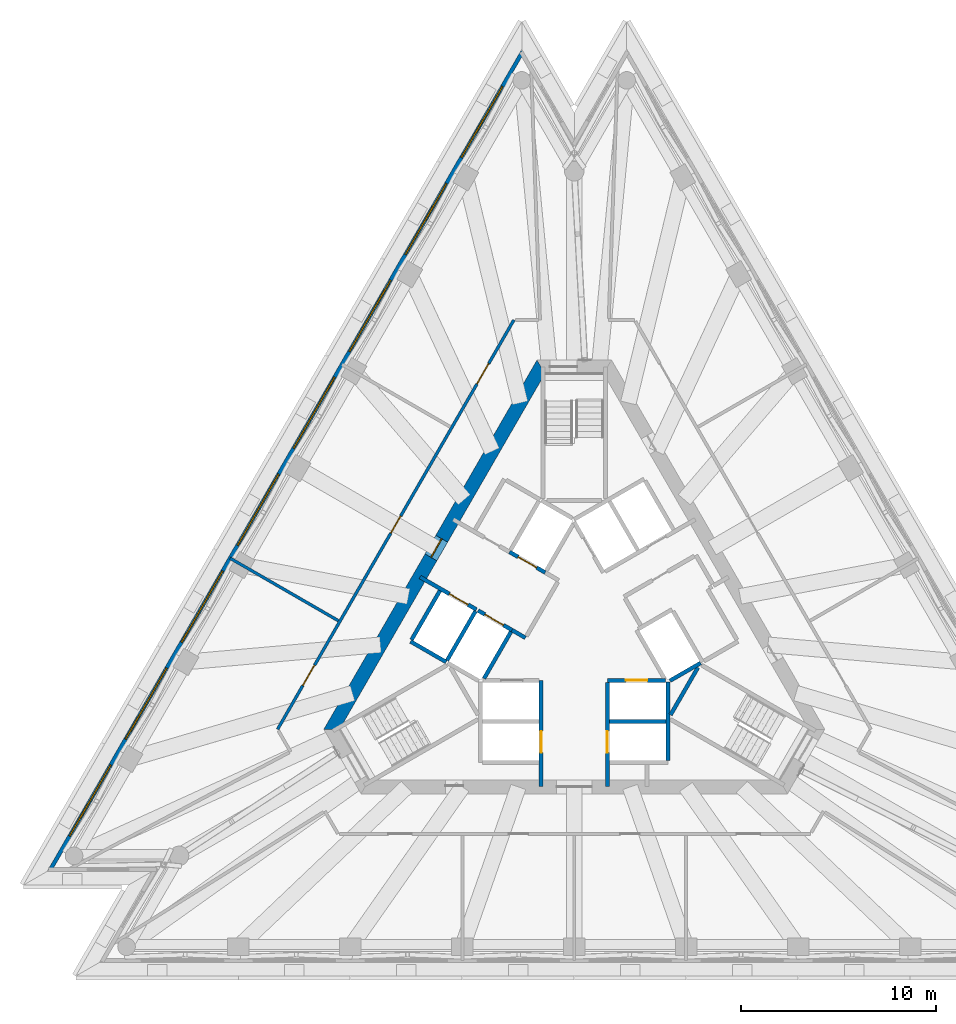
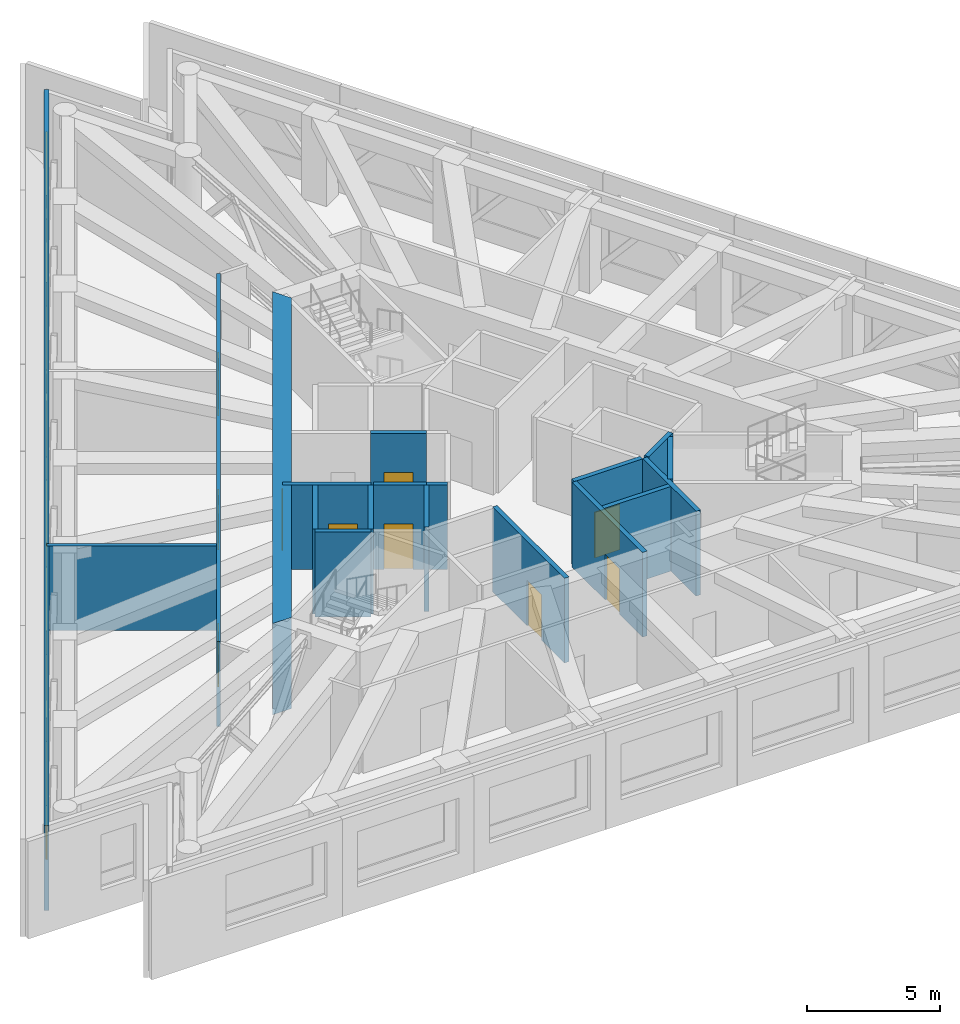
# One storey, part 7 of 12: 19 walls, 10 doors, 8 windows, 18 openings.
"""IFC4 building model written with IfcOpenShell, lengths in metres."""

from ifc_helpers import new_model, si_unit, direction, frame, frame_2d, origin, place, context, subcontext, project, spatial, polyline, rectangle, outline, extrude, material, layer, layer_set, layer_usage, type_object, element, fill, save


model = new_model("IFC4")

# Units and contexts
model_context = context("Model", 3, precision=1e-05, world=origin(), true_north=direction((0.0, 1.0)))
body_context = subcontext(model_context, "Body", "Model", "MODEL_VIEW")
ifc_project = project(units=[si_unit("LENGTHUNIT", "METRE"), si_unit("AREAUNIT", "SQUARE_METRE"), si_unit("VOLUMEUNIT", "CUBIC_METRE"), si_unit("PLANEANGLEUNIT", "RADIAN"), si_unit("MASSUNIT", "GRAM", prefix="KILO")], contexts=[model_context])

# Site, building, storey
site_placement = place(None, origin())
site = spatial("IfcSite", under=ifc_project, at=site_placement, CompositionType="ELEMENT")
building_placement = place(site_placement, origin())
building = spatial("IfcBuilding", under=site, at=building_placement, Name="Triada Interchange Tower", CompositionType="ELEMENT")
storey_placement = place(building_placement, frame((0.0, 0.0, 251.300048828125)))
storey = spatial("IfcBuildingStorey", under=building, at=storey_placement, Name="L59", CompositionType="ELEMENT", Elevation=251.300048828125)

# Walls
ifc_material_1 = material(Name="Concrete C30/37", Category="concrete")
ifc_layer_1 = layer(ifc_material_1, 0.199951171875)
ifc_layer_set_1 = layer_set([ifc_layer_1], Name="CORE WALL 200 EI 120")
wall_type_1 = type_object("IfcWallType", Name="CORE WALL 200 EI 120", PredefinedType="SOLIDWALL", material=ifc_layer_set_1)
wall_1_placement = place(storey_placement, frame((-8.3759765625, -0.70703125, 0.0), z_axis=(0.0, 0.0, 1.0), x_axis=(0.866067520717, -0.499927044236, 0.0)))
element("IfcWall", 1, at=wall_1_placement, inside=storey, type_object=wall_type_1, Name="Wall L59 23", PredefinedType="SOLIDWALL", context=body_context, shape_type="SweptSolid", body=[
    extrude(rectangle(XDim=2.100341796875, YDim=0.199951171875, at=frame_2d((1.05029296875, 0.0))), origin(), (0.0, 0.0, 1.0), 3.89990234375),
])
wall_2_placement = place(storey_placement, frame((-8.325927734375, -0.6201171875, 0.0), z_axis=(0.0, 0.0, 1.0), x_axis=(0.500023687443, 0.866011727401, 0.0)))
element("IfcWall", 2, at=wall_2_placement, inside=storey, type_object=wall_type_1, Name="Wall L59 24", PredefinedType="SOLIDWALL", context=body_context, shape_type="SweptSolid", body=[
    extrude(rectangle(XDim=2.899658203125, YDim=0.199951171875, at=frame_2d((1.44970703125, 0.0))), origin(), (0.0, 0.0, 1.0), 3.89990234375),
])
wall_3_placement = place(storey_placement, frame((1.800048828125, -4.800048828125, 0.0), z_axis=(0.0, 0.0, 1.0), x_axis=(1.0, 0.0, 0.0)))
element("IfcWall", 3, at=wall_3_placement, inside=storey, type_object=wall_type_1, Name="Wall L59 26", PredefinedType="SOLIDWALL", context=body_context, shape_type="SweptSolid", body=[
    extrude(rectangle(XDim=2.89990234375, YDim=0.199951171875, at=frame_2d((1.449951171875, 0.0))), origin(), (0.0, 0.0, 1.0), 3.89990234375),
])

# Wall, opening, door
wall_4_placement = place(storey_placement, frame((-1.699951171875, -8.1298828125, 0.0), z_axis=(0.0, 0.0, 1.0), x_axis=(0.0, 1.0, 0.0)))
wall_4 = element("IfcWall", 4, at=wall_4_placement, inside=storey, type_object=wall_type_1, Name="Wall L59 30", PredefinedType="SOLIDWALL", context=body_context, shape_type="SweptSolid", body=[
    extrude(rectangle(XDim=5.427001953125, YDim=0.199951171875, at=frame_2d((2.71337890625, 0.0))), origin(), (0.0, 0.0, 1.0), 3.89990234375),
])
opening_1_placement = place(wall_4_placement, frame((1.72998046875, 0.0, 0.0)))
opening_1 = element("IfcOpeningElement", 5, at=opening_1_placement, cuts=wall_4, Name="Opening LD-HR4", PredefinedType="OPENING", context=body_context, shape_type="SweptSolid", body=[
    extrude(rectangle(XDim=1.10009765625, YDim=2.10009765625, at=frame_2d((0.550048828125, 1.050048828125))), frame((0.0, 0.10986328125, 0.0), z_axis=(0.0, -1.0, 0.0), x_axis=(1.0, 0.0, 0.0)), (0.0, 0.0, 1.0), 0.219970703125),
])
ifc_material_2 = material(Name="Steel S235 door leaf", Category="steel")
door_type_1 = type_object("IfcDoorType", Name="LIFT LANDING DOOR 1100 EI 120", OperationType="SLIDING_TO_LEFT", PredefinedType="DOOR", material=ifc_material_2)
door_1_placement = place(opening_1_placement, origin())
door_1 = element("IfcDoor", 6, at=door_1_placement, inside=storey, type_object=door_type_1, Name="HR4 landing door L59", OperationType="SLIDING_TO_LEFT", OverallHeight=2.10009765625, OverallWidth=1.10009765625, PredefinedType="DOOR", context=body_context, shape_type="SweptSolid", body=[
    extrude(rectangle(XDim=1.10009765625, YDim=2.10009765625, at=frame_2d((0.550048828125, 1.050048828125))), frame((0.0, 0.02490234375, 0.0), z_axis=(0.0, -1.0, 0.0), x_axis=(1.0, 0.0, 0.0)), (0.0, 0.0, 1.0), 0.050048828125),
])
fill(opening_1, door_1)

wall_5_placement = place(storey_placement, frame((1.702880859375, -2.699951171875, 0.0), z_axis=(0.0, 0.0, 1.0), x_axis=(1.0, 0.0, 0.0)))
wall_5 = element("IfcWall", 7, at=wall_5_placement, inside=storey, type_object=wall_type_1, Name="Wall L59 32", PredefinedType="SOLIDWALL", context=body_context, shape_type="SweptSolid", body=[
    extrude(rectangle(XDim=2.97314453125, YDim=0.199951171875, at=frame_2d((1.486572265625, 0.0))), origin(), (0.0, 0.0, 1.0), 3.89990234375),
])
opening_2_placement = place(wall_5_placement, frame((0.93603515625, 0.0, 0.0)))
opening_2 = element("IfcOpeningElement", 8, at=opening_2_placement, cuts=wall_5, Name="Opening LD-HR1", PredefinedType="OPENING", context=body_context, shape_type="SweptSolid", body=[
    extrude(rectangle(XDim=1.10009765625, YDim=2.10009765625, at=frame_2d((0.550048828125, 1.050048828125))), frame((0.0, 0.10986328125, 0.0), z_axis=(0.0, -1.0, 0.0), x_axis=(1.0, 0.0, 0.0)), (0.0, 0.0, 1.0), 0.219970703125),
])
door_2_placement = place(opening_2_placement, origin())
door_2 = element("IfcDoor", 9, at=door_2_placement, inside=storey, type_object=door_type_1, Name="HR1 landing door L59", OperationType="SLIDING_TO_LEFT", OverallHeight=2.10009765625, OverallWidth=1.10009765625, PredefinedType="DOOR", context=body_context, shape_type="SweptSolid", body=[
    extrude(rectangle(XDim=1.10009765625, YDim=2.10009765625, at=frame_2d((0.550048828125, 1.050048828125))), frame((0.0, 0.02490234375, 0.0), z_axis=(0.0, -1.0, 0.0), x_axis=(1.0, 0.0, 0.0)), (0.0, 0.0, 1.0), 0.050048828125),
])
fill(opening_2, door_2)

wall_6_placement = place(storey_placement, frame((1.699951171875, -8.1298828125, 0.0), z_axis=(0.0, 0.0, 1.0), x_axis=(0.0, 1.0, 0.0)))
wall_6 = element("IfcWall", 10, at=wall_6_placement, inside=storey, type_object=wall_type_1, Name="Wall L59 37", PredefinedType="SOLIDWALL", context=body_context, shape_type="SweptSolid", body=[
    extrude(rectangle(XDim=5.326904296875, YDim=0.199951171875, at=frame_2d((2.66357421875, 0.0))), origin(), (0.0, 0.0, 1.0), 3.89990234375),
])
opening_3_placement = place(wall_6_placement, frame((1.72998046875, 0.0, 0.0)))
opening_3 = element("IfcOpeningElement", 11, at=opening_3_placement, cuts=wall_6, Name="Opening LD-HR2", PredefinedType="OPENING", context=body_context, shape_type="SweptSolid", body=[
    extrude(rectangle(XDim=1.10009765625, YDim=2.10009765625, at=frame_2d((0.550048828125, 1.050048828125))), frame((0.0, 0.10986328125, 0.0), z_axis=(0.0, -1.0, 0.0), x_axis=(1.0, 0.0, 0.0)), (0.0, 0.0, 1.0), 0.219970703125),
])
door_3_placement = place(opening_3_placement, origin())
door_3 = element("IfcDoor", 12, at=door_3_placement, inside=storey, type_object=door_type_1, Name="HR2 landing door L59", OperationType="SLIDING_TO_LEFT", OverallHeight=2.10009765625, OverallWidth=1.10009765625, PredefinedType="DOOR", context=body_context, shape_type="SweptSolid", body=[
    extrude(rectangle(XDim=1.10009765625, YDim=2.10009765625, at=frame_2d((0.550048828125, 1.050048828125))), frame((0.0, 0.02490234375, 0.0), z_axis=(0.0, -1.0, 0.0), x_axis=(1.0, 0.0, 0.0)), (0.0, 0.0, 1.0), 0.050048828125),
])
fill(opening_3, door_3)

# Walls
wall_7_placement = place(storey_placement, frame((4.800048828125, -6.800048828125, 0.0), z_axis=(0.0, 0.0, 1.0), x_axis=(0.0, 1.0, 0.0)))
element("IfcWall", 13, at=wall_7_placement, inside=storey, type_object=wall_type_1, Name="Wall L59 38", PredefinedType="SOLIDWALL", context=body_context, shape_type="SweptSolid", body=[
    extrude(rectangle(XDim=4.029052734375, YDim=0.199951171875, at=frame_2d((2.0146484375, 0.0))), origin(), (0.0, 0.0, 1.0), 3.89990234375),
])
wall_8_placement = place(storey_placement, frame((4.89990234375, -2.714111328125, 0.0), z_axis=(0.0, 0.0, 1.0), x_axis=(0.865846928409, 0.500309001083, 0.0)))
element("IfcWall", 14, at=wall_8_placement, inside=storey, type_object=wall_type_1, Name="Wall L59 44", PredefinedType="SOLIDWALL", context=body_context, shape_type="SweptSolid", body=[
    extrude(rectangle(XDim=1.813232421875, YDim=0.199951171875, at=frame_2d((0.90673828125, 0.0))), origin(), (0.0, 0.0, 1.0), 3.89990234375),
])

# Wall, opening, door
ifc_layer_2 = layer(ifc_material_1, 0.199951171875)
ifc_layer_set_2 = layer_set([ifc_layer_2], Name="CORE WALL 200 EI 180")
wall_type_2 = type_object("IfcWallType", Name="CORE WALL 200 EI 180", PredefinedType="SOLIDWALL", material=ifc_layer_set_2)
wall_9_placement = place(storey_placement, frame((-7.89111328125, 2.593017578125, 0.0), z_axis=(0.0, 0.0, 1.0), x_axis=(0.866070917804, -0.499921159118, 0.0)))
wall_9 = element("IfcWall", 15, at=wall_9_placement, inside=storey, type_object=wall_type_2, Name="Wall L59 48", PredefinedType="SOLIDWALL", context=body_context, shape_type="SweptSolid", body=[
    extrude(rectangle(XDim=3.33251953125, YDim=0.199951171875, at=frame_2d((1.666259765625, 0.0))), origin(), (0.0, 0.0, 1.0), 3.89990234375),
])
opening_4_placement = place(wall_9_placement, frame((1.72998046875, 0.0, 0.0)))
opening_4 = element("IfcOpeningElement", 16, at=opening_4_placement, cuts=wall_9, Name="Opening LD-SV1", PredefinedType="OPENING", context=body_context, shape_type="SweptSolid", body=[
    extrude(rectangle(XDim=1.10009765625, YDim=2.10009765625, at=frame_2d((0.550048828125, 1.050048828125))), frame((0.0, 0.10986328125, 0.0), z_axis=(0.0, -1.0, 0.0), x_axis=(1.0, 0.0, 0.0)), (0.0, 0.0, 1.0), 0.219970703125),
])
door_4_placement = place(opening_4_placement, origin())
door_4 = element("IfcDoor", 17, at=door_4_placement, inside=storey, type_object=door_type_1, Name="SV1 landing door L59", OperationType="SLIDING_TO_LEFT", OverallHeight=2.10009765625, OverallWidth=1.10009765625, PredefinedType="DOOR", context=body_context, shape_type="SweptSolid", body=[
    extrude(rectangle(XDim=1.10009765625, YDim=2.10009765625, at=frame_2d((0.550048828125, 1.050048828125))), frame((0.0, 0.02490234375, 0.0), z_axis=(0.0, -1.0, 0.0), x_axis=(1.0, 0.0, 0.0)), (0.0, 0.0, 1.0), 0.050048828125),
])
fill(opening_4, door_4)

# Walls
wall_10_placement = place(storey_placement, frame((-3.18798828125, -0.1220703125, 0.0), z_axis=(0.0, 0.0, 1.0), x_axis=(0.865705793592, -0.50055317294, 0.0)))
element("IfcWall", 18, at=wall_10_placement, inside=storey, type_object=wall_type_2, Name="Wall L59 49", PredefinedType="SOLIDWALL", context=body_context, shape_type="SweptSolid", body=[
    extrude(rectangle(XDim=0.796875, YDim=0.199951171875, at=frame_2d((0.3984375, 0.0))), origin(), (0.0, 0.0, 1.0), 3.89990234375),
])
wall_11_placement = place(storey_placement, frame((-6.507080078125, -1.669921875, 0.0), z_axis=(0.0, 0.0, 1.0), x_axis=(0.50012328804, 0.865954211699, 0.0)))
element("IfcWall", 19, at=wall_11_placement, inside=storey, type_object=wall_type_2, Name="Shaft wall FF1 L59 55", PredefinedType="SOLIDWALL", context=body_context, shape_type="SweptSolid", body=[
    extrude(rectangle(XDim=2.899658203125, YDim=0.199951171875, at=frame_2d((1.44970703125, 0.0))), origin(), (0.0, 0.0, 1.0), 3.89990234375),
])

# Wall, opening, door
wall_12_placement = place(storey_placement, frame((-4.922119140625, 0.87890625, 0.0), z_axis=(0.0, 0.0, 1.0), x_axis=(0.866073918653, -0.499915960366, 0.0)))
wall_12 = element("IfcWall", 20, at=wall_12_placement, inside=storey, type_object=wall_type_2, Name="Shaft wall FF1 L59 57", PredefinedType="SOLIDWALL", context=body_context, shape_type="SweptSolid", body=[
    extrude(rectangle(XDim=2.002197265625, YDim=0.199951171875, at=frame_2d((1.0009765625, 0.0))), origin(), (0.0, 0.0, 1.0), 3.89990234375),
])
opening_5_placement = place(wall_12_placement, frame((0.402099609375, 0.0, 0.0)))
opening_5 = element("IfcOpeningElement", 21, at=opening_5_placement, cuts=wall_12, Name="Opening LD-FF1", PredefinedType="OPENING", context=body_context, shape_type="SweptSolid", body=[
    extrude(rectangle(XDim=1.10009765625, YDim=2.10009765625, at=frame_2d((0.550048828125, 1.050048828125))), frame((0.0, 0.10986328125, 0.0), z_axis=(0.0, -1.0, 0.0), x_axis=(1.0, 0.0, 0.0)), (0.0, 0.0, 1.0), 0.219970703125),
])
door_5_placement = place(opening_5_placement, origin())
door_5 = element("IfcDoor", 22, at=door_5_placement, inside=storey, type_object=door_type_1, Name="FF1 landing door L59", OperationType="SLIDING_TO_LEFT", OverallHeight=2.10009765625, OverallWidth=1.10009765625, PredefinedType="DOOR", context=body_context, shape_type="SweptSolid", body=[
    extrude(rectangle(XDim=1.10009765625, YDim=2.10009765625, at=frame_2d((0.550048828125, 1.050048828125))), frame((0.0, 0.02490234375, 0.0), z_axis=(0.0, -1.0, 0.0), x_axis=(1.0, 0.0, 0.0)), (0.0, 0.0, 1.0), 0.050048828125),
])
fill(opening_5, door_5)

# Wall
wall_13_placement = place(storey_placement, frame((-4.618896484375, -2.60009765625, 0.0), z_axis=(0.0, 0.0, 1.0), x_axis=(0.50009492287, 0.865970593103, 0.0)))
element("IfcWall", 23, at=wall_13_placement, inside=storey, type_object=wall_type_2, Name="Shaft wall FF1 L59 58", PredefinedType="SOLIDWALL", context=body_context, shape_type="SweptSolid", body=[
    extrude(rectangle(XDim=2.76123046875, YDim=0.199951171875, at=frame_2d((1.380615234375, 0.0))), origin(), (0.0, 0.0, 1.0), 3.89990234375),
])

# Wall, opening, door
wall_14_placement = place(storey_placement, frame((-3.30908203125, 3.873046875, 0.0), z_axis=(0.0, 0.0, 1.0), x_axis=(0.866098583652, -0.499873227325, 0.0)))
wall_14 = element("IfcWall", 24, at=wall_14_placement, inside=storey, type_object=wall_type_2, Name="Shaft wall FF2 L59 59", PredefinedType="SOLIDWALL", context=body_context, shape_type="SweptSolid", body=[
    extrude(rectangle(XDim=2.1025390625, YDim=0.199951171875, at=frame_2d((1.05126953125, 0.0))), origin(), (0.0, 0.0, 1.0), 3.89990234375),
])
opening_6_placement = place(wall_14_placement, frame((0.501953125, 0.0, 0.0)))
opening_6 = element("IfcOpeningElement", 25, at=opening_6_placement, cuts=wall_14, Name="Opening LD-FF2", PredefinedType="OPENING", context=body_context, shape_type="SweptSolid", body=[
    extrude(rectangle(XDim=1.10009765625, YDim=2.10009765625, at=frame_2d((0.550048828125, 1.050048828125))), frame((0.0, 0.10986328125, 0.0), z_axis=(0.0, -1.0, 0.0), x_axis=(1.0, 0.0, 0.0)), (0.0, 0.0, 1.0), 0.219970703125),
])
door_6_placement = place(opening_6_placement, origin())
door_6 = element("IfcDoor", 26, at=door_6_placement, inside=storey, type_object=door_type_1, Name="FF2 landing door L59", OperationType="SLIDING_TO_LEFT", OverallHeight=2.10009765625, OverallWidth=1.10009765625, PredefinedType="DOOR", context=body_context, shape_type="SweptSolid", body=[
    extrude(rectangle(XDim=1.10009765625, YDim=2.10009765625, at=frame_2d((0.550048828125, 1.050048828125))), frame((0.0, 0.02490234375, 0.0), z_axis=(0.0, -1.0, 0.0), x_axis=(1.0, 0.0, 0.0)), (0.0, 0.0, 1.0), 0.050048828125),
])
fill(opening_6, door_6)

# Wall
ifc_layer_3 = layer(ifc_material_1, 0.199951171875)
ifc_layer_set_3 = layer_set([ifc_layer_3], Name="CORE WALL 200 REI 240")
wall_type_3 = type_object("IfcWallType", Name="CORE WALL 200 REI 240", PredefinedType="SOLIDWALL", material=ifc_layer_set_3)
wall_15_placement = place(storey_placement, frame((4.928955078125, -4.4619140625, 0.0), z_axis=(0.0, 0.0, 1.0), x_axis=(0.500200581029, 0.865909567298, 0.0)))
element("IfcWall", 27, at=wall_15_placement, inside=storey, type_object=wall_type_3, Name="Wall L59 74", PredefinedType="SOLIDWALL", context=body_context, shape_type="SweptSolid", body=[
    extrude(rectangle(XDim=2.799072265625, YDim=0.199951171875, at=frame_2d((1.3994140625, 0.0))), origin(), (0.0, 0.0, 1.0), 3.89990234375),
])

# Wall, opening, door
ifc_material_3 = material(Name="Concrete C50/60", Category="concrete")
ifc_layer_4 = layer(ifc_material_3, 0.699951171875)
ifc_layer_set_4 = layer_set([ifc_layer_4], Name="Core wall C 700")
wall_type_4 = type_object("IfcWallType", Name="Core wall C 700", PredefinedType="SHEAR", material=ifc_layer_set_4)
wall_16_placement = place(storey_placement, frame((-1.702880859375, 13.35009765625, -0.300048828125), z_axis=(0.0, 0.0, 1.0), x_axis=(-0.500011533395, -0.866018744874, 0.0)))
wall_16 = element("IfcWall", 28, at=wall_16_placement, inside=storey, type_object=wall_type_4, Name="Core wall WC02 L59", PredefinedType="SHEAR", context=body_context, shape_type="SweptSolid", body=[
    extrude(outline(polyline([(-0.201904296875, -0.35009765625), (1.781982421875, -0.35009765625), (3.76611328125, -0.35009765625), (5.75, -0.35009765625), (7.734130859375, -0.35009765625), (9.718017578125, -0.35009765625), (11.7021484375, -0.35009765625), (13.68603515625, -0.35009765625), (15.670166015625, -0.35009765625), (17.654052734375, -0.35009765625), (19.63818359375, -0.35009765625), (21.6220703125, -0.35009765625), (21.218017578125, 0.35009765625), (19.307373046875, 0.35009765625), (17.39697265625, 0.35009765625), (15.486328125, 0.35009765625), (13.57568359375, 0.35009765625), (11.665283203125, 0.35009765625), (9.754638671875, 0.35009765625), (7.84423828125, 0.35009765625), (5.93359375, 0.35009765625), (4.02294921875, 0.35009765625), (2.112548828125, 0.35009765625), (0.201904296875, 0.35009765625), (-0.201904296875, -0.35009765625)])), origin(), (0.0, 0.0, 1.0), 4.199951171875),
])
opening_7_placement = place(wall_16_placement, frame((10.159912109375, 0.0, 0.300048828125)))
opening_7 = element("IfcOpeningElement", 29, at=opening_7_placement, cuts=wall_16, Name="Opening D59-25", PredefinedType="OPENING", context=body_context, shape_type="SweptSolid", body=[
    extrude(rectangle(XDim=1.10009765625, YDim=2.10009765625, at=frame_2d((0.550048828125, 1.050048828125))), frame((0.0, 0.360107421875, 0.0), z_axis=(0.0, -1.0, 0.0), x_axis=(1.0, 0.0, 0.0)), (0.0, 0.0, 1.0), 0.72021484375),
])
door_type_2 = type_object("IfcDoorType", Name="FIRE LOBBY DOOR 1100 EI2 90-C5S200", OperationType="NOTDEFINED", PredefinedType="DOOR", material=ifc_material_2)
door_7_placement = place(opening_7_placement, origin())
door_7 = element("IfcDoor", 30, at=door_7_placement, inside=storey, type_object=door_type_2, Name="Door D59-25 L59", OperationType="SINGLE_SWING_RIGHT", OverallHeight=2.10009765625, OverallWidth=1.10009765625, PredefinedType="DOOR", context=body_context, shape_type="SweptSolid", body=[
    extrude(rectangle(XDim=1.10009765625, YDim=2.10009765625, at=frame_2d((0.550048828125, 1.050048828125))), frame((0.0, 0.02490234375, 0.0), z_axis=(0.0, -1.0, 0.0), x_axis=(1.0, 0.0, 0.0)), (0.0, 0.0, 1.0), 0.050048828125),
])
fill(opening_7, door_7)

# Wall, openings, windows
ifc_material_4 = material(Name="Cement board")
ifc_layer_5 = layer(ifc_material_4, 0.02001953125, Name="Cement board cladding")
ifc_material_5 = material(Name="Sheathing board")
ifc_layer_6 = layer(ifc_material_5, 0.014892578125, Name="Sheathing board")
ifc_material_6 = material(Name="Mineral wool")
ifc_layer_7 = layer(ifc_material_6, 0.14990234375, Name="Mineral wool between steel studs")
ifc_material_7 = material(Name="Gypsum board")
ifc_layer_8 = layer(ifc_material_7, 0.014892578125, Name="Plasterboard lining")
ifc_layer_set_5 = layer_set([ifc_layer_5, ifc_layer_6, ifc_layer_7, ifc_layer_8], Name="External wall 200")
ifc_layer_usage = layer_usage(ifc_layer_set_5, "AXIS2", "POSITIVE", -0.10009765625)
wall_type_5 = type_object("IfcWallType", Name="External wall 200", PredefinedType="ELEMENTEDWALL", material=ifc_layer_set_5)
wall_17_placement = place(storey_placement, frame((-2.64111328125, 29.489013671875, 0.0), z_axis=(0.0, 0.0, 1.0), x_axis=(-0.500004868955, -0.866022592674, 0.0)))
wall_17 = element("IfcWall", 31, at=wall_17_placement, inside=storey, type_object=wall_type_5, material=ifc_layer_usage, Name="External wall L59 NW", PredefinedType="ELEMENTEDWALL", context=body_context, shape_type="SweptSolid", body=[
    extrude(rectangle(XDim=48.41552734375, YDim=0.199951171875, at=frame_2d((24.207763671875, 0.0))), origin(), (0.0, 0.0, 1.0), 3.89990234375),
])
opening_8_placement = place(wall_17_placement, frame((2.06689453125, 0.0, 0.89990234375)))
opening_8 = element("IfcOpeningElement", 32, at=opening_8_placement, cuts=wall_17, Name="Opening WC01", PredefinedType="OPENING", context=body_context, shape_type="SweptSolid", body=[
    extrude(rectangle(XDim=4.199951171875, YDim=2.5, at=frame_2d((2.10009765625, 1.25))), frame((0.0, 0.10986328125, 0.0), z_axis=(0.0, -1.0, 0.0), x_axis=(1.0, 0.0, 0.0)), (0.0, 0.0, 1.0), 0.219970703125),
])
opening_9_placement = place(wall_17_placement, frame((7.7958984375, 0.0, 0.89990234375)))
opening_9 = element("IfcOpeningElement", 33, at=opening_9_placement, cuts=wall_17, Name="Opening WC02", PredefinedType="OPENING", context=body_context, shape_type="SweptSolid", body=[
    extrude(rectangle(XDim=4.199951171875, YDim=2.5, at=frame_2d((2.10009765625, 1.25))), frame((0.0, 0.10986328125, 0.0), z_axis=(0.0, -1.0, 0.0), x_axis=(1.0, 0.0, 0.0)), (0.0, 0.0, 1.0), 0.219970703125),
])
opening_10_placement = place(wall_17_placement, frame((13.52392578125, 0.0, 0.89990234375)))
opening_10 = element("IfcOpeningElement", 34, at=opening_10_placement, cuts=wall_17, Name="Opening WC03", PredefinedType="OPENING", context=body_context, shape_type="SweptSolid", body=[
    extrude(rectangle(XDim=4.199951171875, YDim=2.5, at=frame_2d((2.10009765625, 1.25))), frame((0.0, 0.10986328125, 0.0), z_axis=(0.0, -1.0, 0.0), x_axis=(1.0, 0.0, 0.0)), (0.0, 0.0, 1.0), 0.219970703125),
])
opening_11_placement = place(wall_17_placement, frame((19.2529296875, 0.0, 0.89990234375)))
opening_11 = element("IfcOpeningElement", 35, at=opening_11_placement, cuts=wall_17, Name="Opening WC04", PredefinedType="OPENING", context=body_context, shape_type="SweptSolid", body=[
    extrude(rectangle(XDim=4.199951171875, YDim=2.5, at=frame_2d((2.10009765625, 1.25))), frame((0.0, 0.10986328125, 0.0), z_axis=(0.0, -1.0, 0.0), x_axis=(1.0, 0.0, 0.0)), (0.0, 0.0, 1.0), 0.219970703125),
])
opening_12_placement = place(wall_17_placement, frame((24.98193359375, 0.0, 0.89990234375)))
opening_12 = element("IfcOpeningElement", 36, at=opening_12_placement, cuts=wall_17, Name="Opening WC05", PredefinedType="OPENING", context=body_context, shape_type="SweptSolid", body=[
    extrude(rectangle(XDim=4.199951171875, YDim=2.5, at=frame_2d((2.10009765625, 1.25))), frame((0.0, 0.10986328125, 0.0), z_axis=(0.0, -1.0, 0.0), x_axis=(1.0, 0.0, 0.0)), (0.0, 0.0, 1.0), 0.219970703125),
])
opening_13_placement = place(wall_17_placement, frame((30.7109375, 0.0, 0.89990234375)))
opening_13 = element("IfcOpeningElement", 37, at=opening_13_placement, cuts=wall_17, Name="Opening WC06", PredefinedType="OPENING", context=body_context, shape_type="SweptSolid", body=[
    extrude(rectangle(XDim=4.199951171875, YDim=2.5, at=frame_2d((2.10009765625, 1.25))), frame((0.0, 0.10986328125, 0.0), z_axis=(0.0, -1.0, 0.0), x_axis=(1.0, 0.0, 0.0)), (0.0, 0.0, 1.0), 0.219970703125),
])
opening_14_placement = place(wall_17_placement, frame((36.43896484375, 0.0, 0.89990234375)))
opening_14 = element("IfcOpeningElement", 38, at=opening_14_placement, cuts=wall_17, Name="Opening WC07", PredefinedType="OPENING", context=body_context, shape_type="SweptSolid", body=[
    extrude(rectangle(XDim=4.199951171875, YDim=2.5, at=frame_2d((2.10009765625, 1.25))), frame((0.0, 0.10986328125, 0.0), z_axis=(0.0, -1.0, 0.0), x_axis=(1.0, 0.0, 0.0)), (0.0, 0.0, 1.0), 0.219970703125),
])
opening_15_placement = place(wall_17_placement, frame((42.16796875, 0.0, 0.89990234375)))
opening_15 = element("IfcOpeningElement", 39, at=opening_15_placement, cuts=wall_17, Name="Opening WC08", PredefinedType="OPENING", context=body_context, shape_type="SweptSolid", body=[
    extrude(rectangle(XDim=4.199951171875, YDim=2.5, at=frame_2d((2.10009765625, 1.25))), frame((0.0, 0.10986328125, 0.0), z_axis=(0.0, -1.0, 0.0), x_axis=(1.0, 0.0, 0.0)), (0.0, 0.0, 1.0), 0.219970703125),
])
ifc_material_8 = material(Name="Double glazed aluminium window", Category="aluminium")
window_type = type_object("IfcWindowType", Name="Ribbon window C face", PartitioningType="SINGLE_PANEL", PredefinedType="WINDOW", material=ifc_material_8)
window_1_placement = place(opening_8_placement, origin())
window_1 = element("IfcWindow", 40, at=window_1_placement, inside=storey, type_object=window_type, Name="Window L59 NW 1", OverallHeight=2.5, OverallWidth=4.199951171875, PartitioningType="SINGLE_PANEL", PredefinedType="WINDOW", context=body_context, shape_type="SweptSolid", body=[
    extrude(rectangle(XDim=4.199951171875, YDim=2.5, at=frame_2d((2.10009765625, 1.25))), frame((0.0, 0.030029296875, 0.0), z_axis=(0.0, -1.0, 0.0), x_axis=(1.0, 0.0, 0.0)), (0.0, 0.0, 1.0), 0.06005859375),
])
fill(opening_8, window_1)
window_2_placement = place(opening_9_placement, origin())
window_2 = element("IfcWindow", 41, at=window_2_placement, inside=storey, type_object=window_type, Name="Window L59 NW 2", OverallHeight=2.5, OverallWidth=4.199951171875, PartitioningType="SINGLE_PANEL", PredefinedType="WINDOW", context=body_context, shape_type="SweptSolid", body=[
    extrude(rectangle(XDim=4.199951171875, YDim=2.5, at=frame_2d((2.10009765625, 1.25))), frame((0.0, 0.030029296875, 0.0), z_axis=(0.0, -1.0, 0.0), x_axis=(1.0, 0.0, 0.0)), (0.0, 0.0, 1.0), 0.06005859375),
])
fill(opening_9, window_2)
window_3_placement = place(opening_10_placement, origin())
window_3 = element("IfcWindow", 42, at=window_3_placement, inside=storey, type_object=window_type, Name="Window L59 NW 3", OverallHeight=2.5, OverallWidth=4.199951171875, PartitioningType="SINGLE_PANEL", PredefinedType="WINDOW", context=body_context, shape_type="SweptSolid", body=[
    extrude(rectangle(XDim=4.199951171875, YDim=2.5, at=frame_2d((2.10009765625, 1.25))), frame((0.0, 0.030029296875, 0.0), z_axis=(0.0, -1.0, 0.0), x_axis=(1.0, 0.0, 0.0)), (0.0, 0.0, 1.0), 0.06005859375),
])
fill(opening_10, window_3)
window_4_placement = place(opening_11_placement, origin())
window_4 = element("IfcWindow", 43, at=window_4_placement, inside=storey, type_object=window_type, Name="Window L59 NW 4", OverallHeight=2.5, OverallWidth=4.199951171875, PartitioningType="SINGLE_PANEL", PredefinedType="WINDOW", context=body_context, shape_type="SweptSolid", body=[
    extrude(rectangle(XDim=4.199951171875, YDim=2.5, at=frame_2d((2.10009765625, 1.25))), frame((0.0, 0.030029296875, 0.0), z_axis=(0.0, -1.0, 0.0), x_axis=(1.0, 0.0, 0.0)), (0.0, 0.0, 1.0), 0.06005859375),
])
fill(opening_11, window_4)
window_5_placement = place(opening_12_placement, origin())
window_5 = element("IfcWindow", 44, at=window_5_placement, inside=storey, type_object=window_type, Name="Window L59 NW 5", OverallHeight=2.5, OverallWidth=4.199951171875, PartitioningType="SINGLE_PANEL", PredefinedType="WINDOW", context=body_context, shape_type="SweptSolid", body=[
    extrude(rectangle(XDim=4.199951171875, YDim=2.5, at=frame_2d((2.10009765625, 1.25))), frame((0.0, 0.030029296875, 0.0), z_axis=(0.0, -1.0, 0.0), x_axis=(1.0, 0.0, 0.0)), (0.0, 0.0, 1.0), 0.06005859375),
])
fill(opening_12, window_5)
window_6_placement = place(opening_13_placement, origin())
window_6 = element("IfcWindow", 45, at=window_6_placement, inside=storey, type_object=window_type, Name="Window L59 NW 6", OverallHeight=2.5, OverallWidth=4.199951171875, PartitioningType="SINGLE_PANEL", PredefinedType="WINDOW", context=body_context, shape_type="SweptSolid", body=[
    extrude(rectangle(XDim=4.199951171875, YDim=2.5, at=frame_2d((2.10009765625, 1.25))), frame((0.0, 0.030029296875, 0.0), z_axis=(0.0, -1.0, 0.0), x_axis=(1.0, 0.0, 0.0)), (0.0, 0.0, 1.0), 0.06005859375),
])
fill(opening_13, window_6)
window_7_placement = place(opening_14_placement, origin())
window_7 = element("IfcWindow", 46, at=window_7_placement, inside=storey, type_object=window_type, Name="Window L59 NW 7", OverallHeight=2.5, OverallWidth=4.199951171875, PartitioningType="SINGLE_PANEL", PredefinedType="WINDOW", context=body_context, shape_type="SweptSolid", body=[
    extrude(rectangle(XDim=4.199951171875, YDim=2.5, at=frame_2d((2.10009765625, 1.25))), frame((0.0, 0.030029296875, 0.0), z_axis=(0.0, -1.0, 0.0), x_axis=(1.0, 0.0, 0.0)), (0.0, 0.0, 1.0), 0.06005859375),
])
fill(opening_14, window_7)
window_8_placement = place(opening_15_placement, origin())
window_8 = element("IfcWindow", 47, at=window_8_placement, inside=storey, type_object=window_type, Name="Window L59 NW 8", OverallHeight=2.5, OverallWidth=4.199951171875, PartitioningType="SINGLE_PANEL", PredefinedType="WINDOW", context=body_context, shape_type="SweptSolid", body=[
    extrude(rectangle(XDim=4.199951171875, YDim=2.5, at=frame_2d((2.10009765625, 1.25))), frame((0.0, 0.030029296875, 0.0), z_axis=(0.0, -1.0, 0.0), x_axis=(1.0, 0.0, 0.0)), (0.0, 0.0, 1.0), 0.06005859375),
])
fill(opening_15, window_8)

# Wall, openings, doors
ifc_material_9 = material(Name="Gypsum board partition")
ifc_layer_9 = layer(ifc_material_9, 0.14990234375)
ifc_layer_set_6 = layer_set([ifc_layer_9], Name="PARTITION 150 EI 180")
wall_type_6 = type_object("IfcWallType", Name="PARTITION 150 EI 180", PredefinedType="PARTITIONING", material=ifc_layer_set_6)
wall_18_placement = place(storey_placement, frame((-15.18408203125, -5.199951171875, 0.0), z_axis=(0.0, 0.0, 1.0), x_axis=(0.499984831513, 0.866034161138, 0.0)))
wall_18 = element("IfcWall", 48, at=wall_18_placement, inside=storey, type_object=wall_type_6, Name="Wall L59 1", PredefinedType="PARTITIONING", context=body_context, shape_type="SweptSolid", body=[
    extrude(rectangle(XDim=24.190673828125, YDim=0.14990234375, at=frame_2d((12.09521484375, 0.0))), origin(), (0.0, 0.0, 1.0), 3.89990234375),
])
opening_16_placement = place(wall_18_placement, frame((20.407958984375, 0.0, 0.0)))
opening_16 = element("IfcOpeningElement", 49, at=opening_16_placement, cuts=wall_18, Name="Opening D59-18", PredefinedType="OPENING", context=body_context, shape_type="SweptSolid", body=[
    extrude(rectangle(XDim=1.199951171875, YDim=2.10009765625, at=frame_2d((0.60009765625, 1.050048828125))), frame((0.0, 0.0849609375, 0.0), z_axis=(0.0, -1.0, 0.0), x_axis=(1.0, 0.0, 0.0)), (0.0, 0.0, 1.0), 0.169921875),
])
opening_17_placement = place(wall_18_placement, frame((11.595947265625, 0.0, 0.0)))
opening_17 = element("IfcOpeningElement", 50, at=opening_17_placement, cuts=wall_18, Name="Opening D59-19", PredefinedType="OPENING", context=body_context, shape_type="SweptSolid", body=[
    extrude(rectangle(XDim=1.0, YDim=2.10009765625, at=frame_2d((0.5, 1.050048828125))), frame((0.0, 0.0849609375, 0.0), z_axis=(0.0, -1.0, 0.0), x_axis=(1.0, 0.0, 0.0)), (0.0, 0.0, 1.0), 0.169921875),
])
opening_18_placement = place(wall_18_placement, frame((2.583984375, 0.0, 0.0)))
opening_18 = element("IfcOpeningElement", 51, at=opening_18_placement, cuts=wall_18, Name="Opening D59-20", PredefinedType="OPENING", context=body_context, shape_type="SweptSolid", body=[
    extrude(rectangle(XDim=1.199951171875, YDim=2.10009765625, at=frame_2d((0.60009765625, 1.050048828125))), frame((0.0, 0.0849609375, 0.0), z_axis=(0.0, -1.0, 0.0), x_axis=(1.0, 0.0, 0.0)), (0.0, 0.0, 1.0), 0.169921875),
])
door_type_3 = type_object("IfcDoorType", Name="DOUBLE ROOM DOOR 1200 EI2 45-C5S200", OperationType="DOUBLE_DOOR_SINGLE_SWING", PredefinedType="DOOR", material=ifc_material_2)
door_8_placement = place(opening_16_placement, origin())
door_8 = element("IfcDoor", 52, at=door_8_placement, inside=storey, type_object=door_type_3, Name="Door D59-18 L59", OperationType="DOUBLE_DOOR_SINGLE_SWING", OverallHeight=2.10009765625, OverallWidth=1.199951171875, PredefinedType="DOOR", context=body_context, shape_type="SweptSolid", body=[
    extrude(rectangle(XDim=1.199951171875, YDim=2.10009765625, at=frame_2d((0.60009765625, 1.050048828125))), frame((0.0, 0.02490234375, 0.0), z_axis=(0.0, -1.0, 0.0), x_axis=(1.0, 0.0, 0.0)), (0.0, 0.0, 1.0), 0.050048828125),
])
fill(opening_16, door_8)
door_9_placement = place(opening_18_placement, origin())
door_9 = element("IfcDoor", 53, at=door_9_placement, inside=storey, type_object=door_type_3, Name="Door D59-20 L59", OperationType="DOUBLE_DOOR_SINGLE_SWING", OverallHeight=2.10009765625, OverallWidth=1.199951171875, PredefinedType="DOOR", context=body_context, shape_type="SweptSolid", body=[
    extrude(rectangle(XDim=1.199951171875, YDim=2.10009765625, at=frame_2d((0.60009765625, 1.050048828125))), frame((0.0, 0.02490234375, 0.0), z_axis=(0.0, -1.0, 0.0), x_axis=(1.0, 0.0, 0.0)), (0.0, 0.0, 1.0), 0.050048828125),
])
fill(opening_18, door_9)
door_type_4 = type_object("IfcDoorType", Name="ROOM DOOR 1000 EI2 45-C5S200", OperationType="NOTDEFINED", PredefinedType="DOOR", material=ifc_material_2)
door_10_placement = place(opening_17_placement, origin())
door_10 = element("IfcDoor", 54, at=door_10_placement, inside=storey, type_object=door_type_4, Name="Door D59-19 L59", OperationType="SINGLE_SWING_LEFT", OverallHeight=2.10009765625, OverallWidth=1.0, PredefinedType="DOOR", context=body_context, shape_type="SweptSolid", body=[
    extrude(rectangle(XDim=1.0, YDim=2.10009765625, at=frame_2d((0.5, 1.050048828125))), frame((0.0, 0.02490234375, 0.0), z_axis=(0.0, -1.0, 0.0), x_axis=(1.0, 0.0, 0.0)), (0.0, 0.0, 1.0), 0.050048828125),
])
fill(opening_17, door_10)

# Wall
wall_19_placement = place(storey_placement, frame((-17.614013671875, 3.554931640625, 0.0), z_axis=(0.0, 0.0, 1.0), x_axis=(0.866046605956, -0.499963274963, 0.0)))
element("IfcWall", 55, at=wall_19_placement, inside=storey, type_object=wall_type_6, Name="Wall L59 7", PredefinedType="PARTITIONING", context=body_context, shape_type="SweptSolid", body=[
    extrude(rectangle(XDim=6.40625, YDim=0.14990234375, at=frame_2d((3.203125, 0.0))), origin(), (0.0, 0.0, 1.0), 3.89990234375),
])

save(model, "model.ifc")
